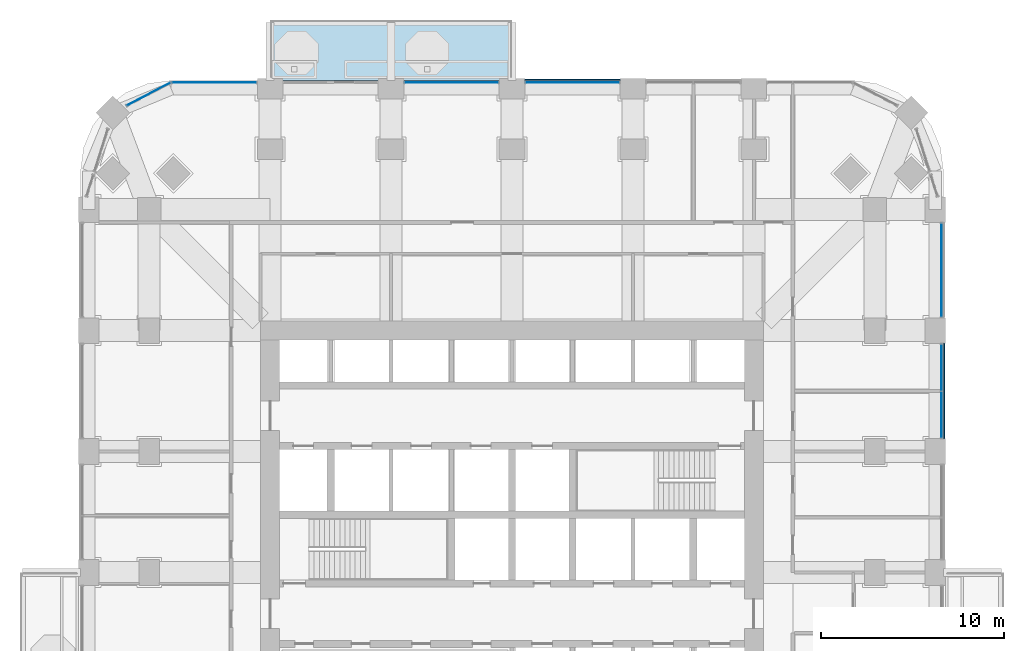
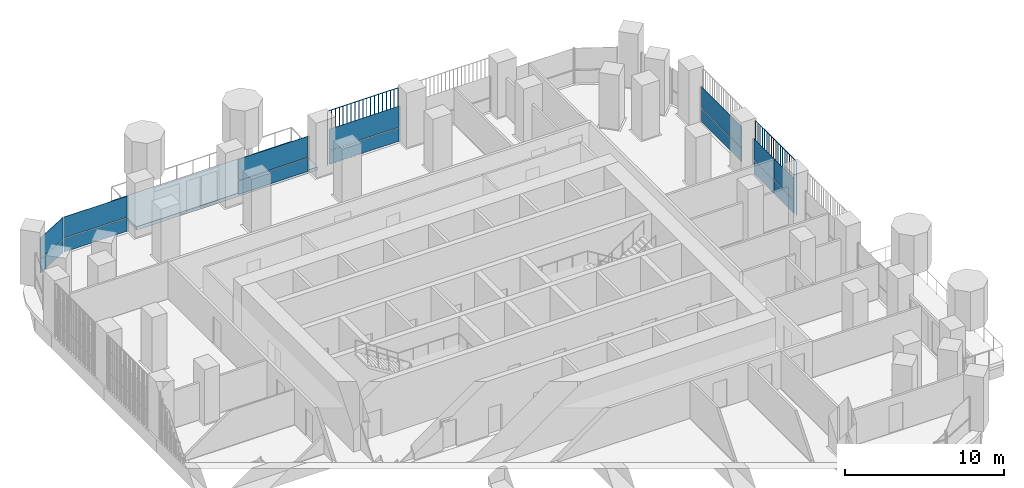
# One storey, part 11 of 21: 16 plates, 1 slab, 6 elements without a shape of their own.
"""IFC4 building model written with IfcOpenShell, lengths in metres."""

from ifc_helpers import new_model, si_unit, direction, frame, origin, origin_2d, place, context, subcontext, project, spatial, polyline, rectangle, outline, extrude, material, layer, layer_set, type_object, element, aggregate, save


model = new_model("IFC4")

# Units and contexts
model_context = context("Model", 3, precision=1e-05, world=origin(), true_north=direction((0.0, 1.0)))
body_context = subcontext(model_context, "Body", "Model", "MODEL_VIEW")
ifc_project = project(units=[si_unit("LENGTHUNIT", "METRE"), si_unit("AREAUNIT", "SQUARE_METRE"), si_unit("VOLUMEUNIT", "CUBIC_METRE"), si_unit("PLANEANGLEUNIT", "RADIAN"), si_unit("MASSUNIT", "GRAM", prefix="KILO")], contexts=[model_context])

# Site, building, storey
site_placement = place(None, origin())
site = spatial("IfcSite", under=ifc_project, at=site_placement, CompositionType="ELEMENT")
building_placement = place(site_placement, origin())
building = spatial("IfcBuilding", under=site, at=building_placement, Name="Cobogo Forest Laboratory Tower", CompositionType="ELEMENT")
storey_placement = place(building_placement, frame((0.0, 0.0, 124.199951171875)))
storey = spatial("IfcBuildingStorey", under=building, at=storey_placement, Name="L28", CompositionType="ELEMENT", Elevation=124.199951171875)

# Slab
ifc_material_1 = material(Name="Concrete HA-40 (C40/50)", Category="concrete")
ifc_layer_1 = layer(ifc_material_1, 0.25)
ifc_layer_set_1 = layer_set([ifc_layer_1], Name="Balcony slab 250")
slab_type = type_object("IfcSlabType", Name="Balcony slab 250", PredefinedType="FLOOR", material=ifc_layer_set_1)
slab_placement = place(storey_placement, frame((0.0, 0.0, -0.25)))
element("IfcSlab", 1, at=slab_placement, inside=storey, type_object=slab_type, Name="Balcony BAL-N1 L28", PredefinedType="FLOOR", context=body_context, shape_type="SweptSolid", body=[
    extrude(outline(polyline([(13.199951171875, 46.64990234375), (26.39990234375, 46.64990234375), (26.39990234375, 49.949951171875), (13.199951171875, 49.949951171875), (13.199951171875, 46.64990234375)])), origin(), (0.0, 0.0, 1.0), 0.25),
])

# Curtain wall, plates
ifc_material_2 = material(Name="Aluminium curtain wall", Category="aluminium")
curtain_wall_type = type_object("IfcCurtainWallType", Name="CW-1 unitised curtain wall, clear glazing, laboratory floors zones A and B", PredefinedType="USERDEFINED", material=ifc_material_2)
curtain_wall_1_placement = place(storey_placement, origin())
curtain_wall_1 = element("IfcCurtainWall", 2, at=curtain_wall_1_placement, inside=storey, type_object=curtain_wall_type, Name="Curtain wall 13 L28", ObjectType="UNITISED CURTAIN WALL", PredefinedType="USERDEFINED")
ifc_material_3 = material(Name="Clear insulated glass", Category="glass")
ifc_layer_2 = layer(ifc_material_3, 0.028076171875)
ifc_layer_set_2 = layer_set([ifc_layer_2], Name="GP-1 clear insulated glass unit 28")
plate_type_1 = type_object("IfcPlateType", Name="GP-1 clear insulated glass unit 28", PredefinedType="CURTAIN_PANEL", material=ifc_layer_set_2)
plate_1_placement = place(storey_placement, frame((49.85009765625, 28.4150390625, 0.0), z_axis=(0.0, 0.0, 1.0), x_axis=(0.0, 1.0, 0.0)))
plate_1 = element("IfcPlate", 3, at=plate_1_placement, type_object=plate_type_1, Name="CW-1 panel 1.1", PredefinedType="CURTAIN_PANEL", context=body_context, shape_type="SweptSolid", body=[
    extrude(rectangle(XDim=2.510009765625, YDim=0.028076171875, at=origin_2d()), origin(), (0.0, 0.0, 1.0), 1.02001953125),
])
plate_2_placement = place(storey_placement, frame((49.85009765625, 28.4150390625, 1.080078125), z_axis=(0.0, 0.0, 1.0), x_axis=(0.0, 1.0, 0.0)))
plate_2 = element("IfcPlate", 4, at=plate_2_placement, type_object=plate_type_1, Name="CW-1 panel 1.2", PredefinedType="CURTAIN_PANEL", context=body_context, shape_type="SweptSolid", body=[
    extrude(rectangle(XDim=2.510009765625, YDim=0.028076171875, at=origin_2d()), origin(), (0.0, 0.0, 1.0), 1.6201171875),
])
plate_3_placement = place(storey_placement, frame((49.85009765625, 30.985107421875, 0.0), z_axis=(0.0, 0.0, 1.0), x_axis=(0.0, 1.0, 0.0)))
plate_3 = element("IfcPlate", 5, at=plate_3_placement, type_object=plate_type_1, Name="CW-1 panel 2.1", PredefinedType="CURTAIN_PANEL", context=body_context, shape_type="SweptSolid", body=[
    extrude(rectangle(XDim=2.510009765625, YDim=0.028076171875, at=origin_2d()), origin(), (0.0, 0.0, 1.0), 1.02001953125),
])
plate_4_placement = place(storey_placement, frame((49.85009765625, 30.985107421875, 1.080078125), z_axis=(0.0, 0.0, 1.0), x_axis=(0.0, 1.0, 0.0)))
plate_4 = element("IfcPlate", 6, at=plate_4_placement, type_object=plate_type_1, Name="CW-1 panel 2.2", PredefinedType="CURTAIN_PANEL", context=body_context, shape_type="SweptSolid", body=[
    extrude(rectangle(XDim=2.510009765625, YDim=0.028076171875, at=origin_2d()), origin(), (0.0, 0.0, 1.0), 1.6201171875),
])
aggregate(curtain_wall_1, [plate_1, plate_2, plate_3, plate_4])

curtain_wall_2_placement = place(storey_placement, origin())
curtain_wall_2 = element("IfcCurtainWall", 7, at=curtain_wall_2_placement, inside=storey, type_object=curtain_wall_type, Name="Curtain wall 14 L28", ObjectType="UNITISED CURTAIN WALL", PredefinedType="USERDEFINED")
plate_5_placement = place(storey_placement, frame((49.85009765625, 36.300048828125, 0.0), z_axis=(0.0, 0.0, 1.0), x_axis=(0.0, 1.0, 0.0)))
plate_5 = element("IfcPlate", 8, at=plate_5_placement, type_object=plate_type_1, Name="CW-1 panel 1.1", PredefinedType="CURTAIN_PANEL", context=body_context, shape_type="SweptSolid", body=[
    extrude(rectangle(XDim=5.080078125, YDim=0.028076171875, at=origin_2d()), origin(), (0.0, 0.0, 1.0), 1.02001953125),
])
plate_6_placement = place(storey_placement, frame((49.85009765625, 36.300048828125, 1.080078125), z_axis=(0.0, 0.0, 1.0), x_axis=(0.0, 1.0, 0.0)))
plate_6 = element("IfcPlate", 9, at=plate_6_placement, type_object=plate_type_1, Name="CW-1 panel 1.2", PredefinedType="CURTAIN_PANEL", context=body_context, shape_type="SweptSolid", body=[
    extrude(rectangle(XDim=5.080078125, YDim=0.028076171875, at=origin_2d()), origin(), (0.0, 0.0, 1.0), 1.6201171875),
])
aggregate(curtain_wall_2, [plate_5, plate_6])

curtain_wall_3_placement = place(storey_placement, origin())
curtain_wall_3 = element("IfcCurtainWall", 10, at=curtain_wall_3_placement, inside=storey, type_object=curtain_wall_type, Name="Curtain wall 20 L28", ObjectType="UNITISED CURTAIN WALL", PredefinedType="USERDEFINED")
plate_7_placement = place(storey_placement, frame((29.699951171875, 46.550048828125, 0.0), z_axis=(0.0, 0.0, 1.0), x_axis=(-1.0, 0.0, 0.0)))
plate_7 = element("IfcPlate", 11, at=plate_7_placement, type_object=plate_type_1, Name="CW-1 panel 1.1", PredefinedType="CURTAIN_PANEL", context=body_context, shape_type="SweptSolid", body=[
    extrude(rectangle(XDim=5.080078125, YDim=0.028076171875, at=origin_2d()), origin(), (0.0, 0.0, 1.0), 1.02001953125),
])
plate_8_placement = place(storey_placement, frame((29.699951171875, 46.550048828125, 1.080078125), z_axis=(0.0, 0.0, 1.0), x_axis=(-1.0, 0.0, 0.0)))
plate_8 = element("IfcPlate", 12, at=plate_8_placement, type_object=plate_type_1, Name="CW-1 panel 1.2", PredefinedType="CURTAIN_PANEL", context=body_context, shape_type="SweptSolid", body=[
    extrude(rectangle(XDim=5.080078125, YDim=0.028076171875, at=origin_2d()), origin(), (0.0, 0.0, 1.0), 1.6201171875),
])
aggregate(curtain_wall_3, [plate_7, plate_8])

curtain_wall_4_placement = place(storey_placement, origin())
curtain_wall_4 = element("IfcCurtainWall", 13, at=curtain_wall_4_placement, inside=storey, type_object=curtain_wall_type, Name="Curtain wall 21 L28", ObjectType="UNITISED CURTAIN WALL", PredefinedType="USERDEFINED")
plate_9_placement = place(storey_placement, frame((23.10009765625, 46.550048828125, 0.0), z_axis=(0.0, 0.0, 1.0), x_axis=(-1.0, 0.0, 0.0)))
plate_9 = element("IfcPlate", 14, at=plate_9_placement, type_object=plate_type_1, Name="CW-1 panel 1.1", PredefinedType="CURTAIN_PANEL", context=body_context, shape_type="SweptSolid", body=[
    extrude(rectangle(XDim=5.080078125, YDim=0.028076171875, at=origin_2d()), origin(), (0.0, 0.0, 1.0), 1.02001953125),
])
plate_10_placement = place(storey_placement, frame((23.10009765625, 46.550048828125, 1.080078125), z_axis=(0.0, 0.0, 1.0), x_axis=(-1.0, 0.0, 0.0)))
plate_10 = element("IfcPlate", 15, at=plate_10_placement, type_object=plate_type_1, Name="CW-1 panel 1.2", PredefinedType="CURTAIN_PANEL", context=body_context, shape_type="SweptSolid", body=[
    extrude(rectangle(XDim=5.080078125, YDim=0.028076171875, at=origin_2d()), origin(), (0.0, 0.0, 1.0), 1.6201171875),
])
aggregate(curtain_wall_4, [plate_9, plate_10])

curtain_wall_5_placement = place(storey_placement, origin())
curtain_wall_5 = element("IfcCurtainWall", 16, at=curtain_wall_5_placement, inside=storey, type_object=curtain_wall_type, Name="Curtain wall 23 L28", ObjectType="UNITISED CURTAIN WALL", PredefinedType="USERDEFINED")
plate_11_placement = place(storey_placement, frame((10.14990234375, 46.550048828125, 0.0), z_axis=(0.0, 0.0, 1.0), x_axis=(-1.0, 0.0, 0.0)))
plate_11 = element("IfcPlate", 17, at=plate_11_placement, type_object=plate_type_1, Name="CW-1 panel 1.1", PredefinedType="CURTAIN_PANEL", context=body_context, shape_type="SweptSolid", body=[
    extrude(rectangle(XDim=4.580078125, YDim=0.028076171875, at=origin_2d()), origin(), (0.0, 0.0, 1.0), 1.02001953125),
])
plate_12_placement = place(storey_placement, frame((10.14990234375, 46.550048828125, 1.080078125), z_axis=(0.0, 0.0, 1.0), x_axis=(-1.0, 0.0, 0.0)))
plate_12 = element("IfcPlate", 18, at=plate_12_placement, type_object=plate_type_1, Name="CW-1 panel 1.2", PredefinedType="CURTAIN_PANEL", context=body_context, shape_type="SweptSolid", body=[
    extrude(rectangle(XDim=4.580078125, YDim=0.028076171875, at=origin_2d()), origin(), (0.0, 0.0, 1.0), 1.6201171875),
])
aggregate(curtain_wall_5, [plate_11, plate_12])

curtain_wall_6_placement = place(storey_placement, origin())
curtain_wall_6 = element("IfcCurtainWall", 19, at=curtain_wall_6_placement, inside=storey, type_object=curtain_wall_type, Name="Curtain wall 24 L28", ObjectType="UNITISED CURTAIN WALL", PredefinedType="USERDEFINED")
plate_13_placement = place(storey_placement, frame((6.57080078125, 45.90576171875, 0.0), z_axis=(0.0, 0.0, 1.0), x_axis=(-0.885686547075, -0.464283685186, 0.0)))
plate_13 = element("IfcPlate", 20, at=plate_13_placement, type_object=plate_type_1, Name="CW-1 panel 1.1", PredefinedType="CURTAIN_PANEL", context=body_context, shape_type="SweptSolid", body=[
    extrude(rectangle(XDim=2.655517578125, YDim=0.028076171875, at=origin_2d()), origin(), (0.0, 0.0, 1.0), 1.02001953125),
])
plate_14_placement = place(storey_placement, frame((6.57080078125, 45.90576171875, 1.080078125), z_axis=(0.0, 0.0, 1.0), x_axis=(-0.885686547075, -0.464283685186, 0.0)))
plate_14 = element("IfcPlate", 21, at=plate_14_placement, type_object=plate_type_1, Name="CW-1 panel 1.2", PredefinedType="CURTAIN_PANEL", context=body_context, shape_type="SweptSolid", body=[
    extrude(rectangle(XDim=2.655517578125, YDim=0.028076171875, at=origin_2d()), origin(), (0.0, 0.0, 1.0), 1.6201171875),
])
aggregate(curtain_wall_6, [plate_13, plate_14])

# Plates
ifc_material_4 = material(Name="Terracotta", Category="masonry")
plate_type_2 = type_object("IfcPlateType", Name="TB1 terracotta baguette screen", PredefinedType="USERDEFINED", material=ifc_material_4)
plate_15_placement = place(storey_placement, frame((49.977783203125, 27.13134765625, -0.14990234375)))
element("IfcPlate", 22, at=plate_15_placement, inside=storey, type_object=plate_type_2, Name="Baguette screen E4 L28", ObjectType="BAGUETTE SCREEN", PredefinedType="USERDEFINED", context=body_context, shape_type="SweptSolid", body=[
    extrude(outline(polyline([(0.02880859375, 0.011962890625), (0.011962890625, 0.02880859375), (-0.011962890625, 0.02880859375), (-0.02880859375, 0.011962890625), (-0.02880859375, -0.011962890625), (-0.011962890625, -0.02880859375), (0.011962890625, -0.02880859375), (0.02880859375, -0.011962890625), (0.02880859375, 0.011962890625)])), frame((0.0, 0.0, 4.168701171875), z_axis=(0.0, 1.0, 0.0), x_axis=(-1.0, 0.0, 0.0)), (0.0, 0.0, 1.0), 5.137451171875),
    extrude(outline(polyline([(0.02880859375, 0.011962890625), (0.011962890625, 0.02880859375), (-0.011962890625, 0.02880859375), (-0.02880859375, 0.011962890625), (-0.02880859375, -0.011962890625), (-0.011962890625, -0.02880859375), (0.011962890625, -0.02880859375), (0.02880859375, -0.011962890625), (0.02880859375, 0.011962890625)])), origin(), (0.0, 0.0, 1.0), 4.137451171875),
    extrude(outline(polyline([(0.02880859375, 0.011962890625), (0.011962890625, 0.02880859375), (-0.011962890625, 0.02880859375), (-0.02880859375, 0.011962890625), (-0.02880859375, -0.011962890625), (-0.011962890625, -0.02880859375), (0.011962890625, -0.02880859375), (0.02880859375, -0.011962890625), (0.02880859375, 0.011962890625)])), frame((0.0, 0.285400390625, 0.0)), (0.0, 0.0, 1.0), 4.137451171875),
    extrude(outline(polyline([(0.02880859375, 0.011962890625), (0.011962890625, 0.02880859375), (-0.011962890625, 0.02880859375), (-0.02880859375, 0.011962890625), (-0.02880859375, -0.011962890625), (-0.011962890625, -0.02880859375), (0.011962890625, -0.02880859375), (0.02880859375, -0.011962890625), (0.02880859375, 0.011962890625)])), frame((0.0, 0.57080078125, 0.0)), (0.0, 0.0, 1.0), 4.137451171875),
    extrude(outline(polyline([(0.02880859375, 0.011962890625), (0.011962890625, 0.02880859375), (-0.011962890625, 0.02880859375), (-0.02880859375, 0.011962890625), (-0.02880859375, -0.011962890625), (-0.011962890625, -0.02880859375), (0.011962890625, -0.02880859375), (0.02880859375, -0.011962890625), (0.02880859375, 0.011962890625)])), frame((0.0, 0.856201171875, 0.0)), (0.0, 0.0, 1.0), 4.137451171875),
    extrude(outline(polyline([(0.02880859375, 0.011962890625), (0.011962890625, 0.02880859375), (-0.011962890625, 0.02880859375), (-0.02880859375, 0.011962890625), (-0.02880859375, -0.011962890625), (-0.011962890625, -0.02880859375), (0.011962890625, -0.02880859375), (0.02880859375, -0.011962890625), (0.02880859375, 0.011962890625)])), frame((0.0, 1.1416015625, 0.0)), (0.0, 0.0, 1.0), 4.137451171875),
    extrude(outline(polyline([(0.02880859375, 0.011962890625), (0.011962890625, 0.02880859375), (-0.011962890625, 0.02880859375), (-0.02880859375, 0.011962890625), (-0.02880859375, -0.011962890625), (-0.011962890625, -0.02880859375), (0.011962890625, -0.02880859375), (0.02880859375, -0.011962890625), (0.02880859375, 0.011962890625)])), frame((0.0, 1.427001953125, 0.0)), (0.0, 0.0, 1.0), 4.137451171875),
    extrude(outline(polyline([(0.02880859375, 0.011962890625), (0.011962890625, 0.02880859375), (-0.011962890625, 0.02880859375), (-0.02880859375, 0.011962890625), (-0.02880859375, -0.011962890625), (-0.011962890625, -0.02880859375), (0.011962890625, -0.02880859375), (0.02880859375, -0.011962890625), (0.02880859375, 0.011962890625)])), frame((0.0, 1.71240234375, 0.0)), (0.0, 0.0, 1.0), 4.137451171875),
    extrude(outline(polyline([(0.02880859375, 0.011962890625), (0.011962890625, 0.02880859375), (-0.011962890625, 0.02880859375), (-0.02880859375, 0.011962890625), (-0.02880859375, -0.011962890625), (-0.011962890625, -0.02880859375), (0.011962890625, -0.02880859375), (0.02880859375, -0.011962890625), (0.02880859375, 0.011962890625)])), frame((0.0, 1.997802734375, 0.0)), (0.0, 0.0, 1.0), 4.137451171875),
    extrude(outline(polyline([(0.02880859375, 0.011962890625), (0.011962890625, 0.02880859375), (-0.011962890625, 0.02880859375), (-0.02880859375, 0.011962890625), (-0.02880859375, -0.011962890625), (-0.011962890625, -0.02880859375), (0.011962890625, -0.02880859375), (0.02880859375, -0.011962890625), (0.02880859375, 0.011962890625)])), frame((0.0, 2.283203125, 0.0)), (0.0, 0.0, 1.0), 4.137451171875),
    extrude(outline(polyline([(0.02880859375, 0.011962890625), (0.011962890625, 0.02880859375), (-0.011962890625, 0.02880859375), (-0.02880859375, 0.011962890625), (-0.02880859375, -0.011962890625), (-0.011962890625, -0.02880859375), (0.011962890625, -0.02880859375), (0.02880859375, -0.011962890625), (0.02880859375, 0.011962890625)])), frame((0.0, 2.56884765625, 0.0)), (0.0, 0.0, 1.0), 4.137451171875),
    extrude(outline(polyline([(0.02880859375, 0.011962890625), (0.011962890625, 0.02880859375), (-0.011962890625, 0.02880859375), (-0.02880859375, 0.011962890625), (-0.02880859375, -0.011962890625), (-0.011962890625, -0.02880859375), (0.011962890625, -0.02880859375), (0.02880859375, -0.011962890625), (0.02880859375, 0.011962890625)])), frame((0.0, 2.854248046875, 0.0)), (0.0, 0.0, 1.0), 4.137451171875),
    extrude(outline(polyline([(0.02880859375, 0.011962890625), (0.011962890625, 0.02880859375), (-0.011962890625, 0.02880859375), (-0.02880859375, 0.011962890625), (-0.02880859375, -0.011962890625), (-0.011962890625, -0.02880859375), (0.011962890625, -0.02880859375), (0.02880859375, -0.011962890625), (0.02880859375, 0.011962890625)])), frame((0.0, 3.1396484375, 0.0)), (0.0, 0.0, 1.0), 4.137451171875),
    extrude(outline(polyline([(0.02880859375, 0.011962890625), (0.011962890625, 0.02880859375), (-0.011962890625, 0.02880859375), (-0.02880859375, 0.011962890625), (-0.02880859375, -0.011962890625), (-0.011962890625, -0.02880859375), (0.011962890625, -0.02880859375), (0.02880859375, -0.011962890625), (0.02880859375, 0.011962890625)])), frame((0.0, 3.425048828125, 0.0)), (0.0, 0.0, 1.0), 4.137451171875),
    extrude(outline(polyline([(0.02880859375, 0.011962890625), (0.011962890625, 0.02880859375), (-0.011962890625, 0.02880859375), (-0.02880859375, 0.011962890625), (-0.02880859375, -0.011962890625), (-0.011962890625, -0.02880859375), (0.011962890625, -0.02880859375), (0.02880859375, -0.011962890625), (0.02880859375, 0.011962890625)])), frame((0.0, 3.71044921875, 0.0)), (0.0, 0.0, 1.0), 4.137451171875),
    extrude(outline(polyline([(0.02880859375, 0.011962890625), (0.011962890625, 0.02880859375), (-0.011962890625, 0.02880859375), (-0.02880859375, 0.011962890625), (-0.02880859375, -0.011962890625), (-0.011962890625, -0.02880859375), (0.011962890625, -0.02880859375), (0.02880859375, -0.011962890625), (0.02880859375, 0.011962890625)])), frame((0.0, 3.995849609375, 0.0)), (0.0, 0.0, 1.0), 4.137451171875),
    extrude(outline(polyline([(0.02880859375, 0.011962890625), (0.011962890625, 0.02880859375), (-0.011962890625, 0.02880859375), (-0.02880859375, 0.011962890625), (-0.02880859375, -0.011962890625), (-0.011962890625, -0.02880859375), (0.011962890625, -0.02880859375), (0.02880859375, -0.011962890625), (0.02880859375, 0.011962890625)])), frame((0.0, 4.28125, 0.0)), (0.0, 0.0, 1.0), 4.137451171875),
    extrude(outline(polyline([(0.02880859375, 0.011962890625), (0.011962890625, 0.02880859375), (-0.011962890625, 0.02880859375), (-0.02880859375, 0.011962890625), (-0.02880859375, -0.011962890625), (-0.011962890625, -0.02880859375), (0.011962890625, -0.02880859375), (0.02880859375, -0.011962890625), (0.02880859375, 0.011962890625)])), frame((0.0, 4.566650390625, 0.0)), (0.0, 0.0, 1.0), 4.137451171875),
    extrude(outline(polyline([(0.02880859375, 0.011962890625), (0.011962890625, 0.02880859375), (-0.011962890625, 0.02880859375), (-0.02880859375, 0.011962890625), (-0.02880859375, -0.011962890625), (-0.011962890625, -0.02880859375), (0.011962890625, -0.02880859375), (0.02880859375, -0.011962890625), (0.02880859375, 0.011962890625)])), frame((0.0, 4.85205078125, 0.0)), (0.0, 0.0, 1.0), 4.137451171875),
    extrude(outline(polyline([(0.02880859375, 0.011962890625), (0.011962890625, 0.02880859375), (-0.011962890625, 0.02880859375), (-0.02880859375, 0.011962890625), (-0.02880859375, -0.011962890625), (-0.011962890625, -0.02880859375), (0.011962890625, -0.02880859375), (0.02880859375, -0.011962890625), (0.02880859375, 0.011962890625)])), frame((0.0, 5.137451171875, 0.0)), (0.0, 0.0, 1.0), 4.137451171875),
])
plate_16_placement = place(storey_placement, frame((27.13134765625, 46.677978515625, -0.14990234375)))
element("IfcPlate", 23, at=plate_16_placement, inside=storey, type_object=plate_type_2, Name="Baguette screen N3 L28", ObjectType="BAGUETTE SCREEN", PredefinedType="USERDEFINED", context=body_context, shape_type="SweptSolid", body=[
    extrude(outline(polyline([(0.02880859375, 0.011962890625), (0.011962890625, 0.02880859375), (-0.011962890625, 0.02880859375), (-0.02880859375, 0.011962890625), (-0.02880859375, -0.011962890625), (-0.011962890625, -0.02880859375), (0.011962890625, -0.02880859375), (0.02880859375, -0.011962890625), (0.02880859375, 0.011962890625)])), frame((0.0, 0.0, 4.168701171875), z_axis=(1.0, 0.0, 0.0), x_axis=(0.0, 1.0, 0.0)), (0.0, 0.0, 1.0), 5.137451171875),
    extrude(outline(polyline([(0.02880859375, 0.011962890625), (0.011962890625, 0.02880859375), (-0.011962890625, 0.02880859375), (-0.02880859375, 0.011962890625), (-0.02880859375, -0.011962890625), (-0.011962890625, -0.02880859375), (0.011962890625, -0.02880859375), (0.02880859375, -0.011962890625), (0.02880859375, 0.011962890625)])), origin(), (0.0, 0.0, 1.0), 4.137451171875),
    extrude(outline(polyline([(0.02880859375, 0.011962890625), (0.011962890625, 0.02880859375), (-0.011962890625, 0.02880859375), (-0.02880859375, 0.011962890625), (-0.02880859375, -0.011962890625), (-0.011962890625, -0.02880859375), (0.011962890625, -0.02880859375), (0.02880859375, -0.011962890625), (0.02880859375, 0.011962890625)])), frame((0.285400390625, 0.0, 0.0)), (0.0, 0.0, 1.0), 4.137451171875),
    extrude(outline(polyline([(0.02880859375, 0.011962890625), (0.011962890625, 0.02880859375), (-0.011962890625, 0.02880859375), (-0.02880859375, 0.011962890625), (-0.02880859375, -0.011962890625), (-0.011962890625, -0.02880859375), (0.011962890625, -0.02880859375), (0.02880859375, -0.011962890625), (0.02880859375, 0.011962890625)])), frame((0.57080078125, 0.0, 0.0)), (0.0, 0.0, 1.0), 4.137451171875),
    extrude(outline(polyline([(0.02880859375, 0.011962890625), (0.011962890625, 0.02880859375), (-0.011962890625, 0.02880859375), (-0.02880859375, 0.011962890625), (-0.02880859375, -0.011962890625), (-0.011962890625, -0.02880859375), (0.011962890625, -0.02880859375), (0.02880859375, -0.011962890625), (0.02880859375, 0.011962890625)])), frame((0.856201171875, 0.0, 0.0)), (0.0, 0.0, 1.0), 4.137451171875),
    extrude(outline(polyline([(0.02880859375, 0.011962890625), (0.011962890625, 0.02880859375), (-0.011962890625, 0.02880859375), (-0.02880859375, 0.011962890625), (-0.02880859375, -0.011962890625), (-0.011962890625, -0.02880859375), (0.011962890625, -0.02880859375), (0.02880859375, -0.011962890625), (0.02880859375, 0.011962890625)])), frame((1.1416015625, 0.0, 0.0)), (0.0, 0.0, 1.0), 4.137451171875),
    extrude(outline(polyline([(0.02880859375, 0.011962890625), (0.011962890625, 0.02880859375), (-0.011962890625, 0.02880859375), (-0.02880859375, 0.011962890625), (-0.02880859375, -0.011962890625), (-0.011962890625, -0.02880859375), (0.011962890625, -0.02880859375), (0.02880859375, -0.011962890625), (0.02880859375, 0.011962890625)])), frame((1.427001953125, 0.0, 0.0)), (0.0, 0.0, 1.0), 4.137451171875),
    extrude(outline(polyline([(0.02880859375, 0.011962890625), (0.011962890625, 0.02880859375), (-0.011962890625, 0.02880859375), (-0.02880859375, 0.011962890625), (-0.02880859375, -0.011962890625), (-0.011962890625, -0.02880859375), (0.011962890625, -0.02880859375), (0.02880859375, -0.011962890625), (0.02880859375, 0.011962890625)])), frame((1.71240234375, 0.0, 0.0)), (0.0, 0.0, 1.0), 4.137451171875),
    extrude(outline(polyline([(0.02880859375, 0.011962890625), (0.011962890625, 0.02880859375), (-0.011962890625, 0.02880859375), (-0.02880859375, 0.011962890625), (-0.02880859375, -0.011962890625), (-0.011962890625, -0.02880859375), (0.011962890625, -0.02880859375), (0.02880859375, -0.011962890625), (0.02880859375, 0.011962890625)])), frame((1.997802734375, 0.0, 0.0)), (0.0, 0.0, 1.0), 4.137451171875),
    extrude(outline(polyline([(0.02880859375, 0.011962890625), (0.011962890625, 0.02880859375), (-0.011962890625, 0.02880859375), (-0.02880859375, 0.011962890625), (-0.02880859375, -0.011962890625), (-0.011962890625, -0.02880859375), (0.011962890625, -0.02880859375), (0.02880859375, -0.011962890625), (0.02880859375, 0.011962890625)])), frame((2.283203125, 0.0, 0.0)), (0.0, 0.0, 1.0), 4.137451171875),
    extrude(outline(polyline([(0.02880859375, 0.011962890625), (0.011962890625, 0.02880859375), (-0.011962890625, 0.02880859375), (-0.02880859375, 0.011962890625), (-0.02880859375, -0.011962890625), (-0.011962890625, -0.02880859375), (0.011962890625, -0.02880859375), (0.02880859375, -0.011962890625), (0.02880859375, 0.011962890625)])), frame((2.56884765625, 0.0, 0.0)), (0.0, 0.0, 1.0), 4.137451171875),
    extrude(outline(polyline([(0.02880859375, 0.011962890625), (0.011962890625, 0.02880859375), (-0.011962890625, 0.02880859375), (-0.02880859375, 0.011962890625), (-0.02880859375, -0.011962890625), (-0.011962890625, -0.02880859375), (0.011962890625, -0.02880859375), (0.02880859375, -0.011962890625), (0.02880859375, 0.011962890625)])), frame((2.854248046875, 0.0, 0.0)), (0.0, 0.0, 1.0), 4.137451171875),
    extrude(outline(polyline([(0.02880859375, 0.011962890625), (0.011962890625, 0.02880859375), (-0.011962890625, 0.02880859375), (-0.02880859375, 0.011962890625), (-0.02880859375, -0.011962890625), (-0.011962890625, -0.02880859375), (0.011962890625, -0.02880859375), (0.02880859375, -0.011962890625), (0.02880859375, 0.011962890625)])), frame((3.1396484375, 0.0, 0.0)), (0.0, 0.0, 1.0), 4.137451171875),
    extrude(outline(polyline([(0.02880859375, 0.011962890625), (0.011962890625, 0.02880859375), (-0.011962890625, 0.02880859375), (-0.02880859375, 0.011962890625), (-0.02880859375, -0.011962890625), (-0.011962890625, -0.02880859375), (0.011962890625, -0.02880859375), (0.02880859375, -0.011962890625), (0.02880859375, 0.011962890625)])), frame((3.425048828125, 0.0, 0.0)), (0.0, 0.0, 1.0), 4.137451171875),
    extrude(outline(polyline([(0.02880859375, 0.011962890625), (0.011962890625, 0.02880859375), (-0.011962890625, 0.02880859375), (-0.02880859375, 0.011962890625), (-0.02880859375, -0.011962890625), (-0.011962890625, -0.02880859375), (0.011962890625, -0.02880859375), (0.02880859375, -0.011962890625), (0.02880859375, 0.011962890625)])), frame((3.71044921875, 0.0, 0.0)), (0.0, 0.0, 1.0), 4.137451171875),
    extrude(outline(polyline([(0.02880859375, 0.011962890625), (0.011962890625, 0.02880859375), (-0.011962890625, 0.02880859375), (-0.02880859375, 0.011962890625), (-0.02880859375, -0.011962890625), (-0.011962890625, -0.02880859375), (0.011962890625, -0.02880859375), (0.02880859375, -0.011962890625), (0.02880859375, 0.011962890625)])), frame((3.995849609375, 0.0, 0.0)), (0.0, 0.0, 1.0), 4.137451171875),
    extrude(outline(polyline([(0.02880859375, 0.011962890625), (0.011962890625, 0.02880859375), (-0.011962890625, 0.02880859375), (-0.02880859375, 0.011962890625), (-0.02880859375, -0.011962890625), (-0.011962890625, -0.02880859375), (0.011962890625, -0.02880859375), (0.02880859375, -0.011962890625), (0.02880859375, 0.011962890625)])), frame((4.28125, 0.0, 0.0)), (0.0, 0.0, 1.0), 4.137451171875),
    extrude(outline(polyline([(0.02880859375, 0.011962890625), (0.011962890625, 0.02880859375), (-0.011962890625, 0.02880859375), (-0.02880859375, 0.011962890625), (-0.02880859375, -0.011962890625), (-0.011962890625, -0.02880859375), (0.011962890625, -0.02880859375), (0.02880859375, -0.011962890625), (0.02880859375, 0.011962890625)])), frame((4.566650390625, 0.0, 0.0)), (0.0, 0.0, 1.0), 4.137451171875),
    extrude(outline(polyline([(0.02880859375, 0.011962890625), (0.011962890625, 0.02880859375), (-0.011962890625, 0.02880859375), (-0.02880859375, 0.011962890625), (-0.02880859375, -0.011962890625), (-0.011962890625, -0.02880859375), (0.011962890625, -0.02880859375), (0.02880859375, -0.011962890625), (0.02880859375, 0.011962890625)])), frame((4.85205078125, 0.0, 0.0)), (0.0, 0.0, 1.0), 4.137451171875),
    extrude(outline(polyline([(0.02880859375, 0.011962890625), (0.011962890625, 0.02880859375), (-0.011962890625, 0.02880859375), (-0.02880859375, 0.011962890625), (-0.02880859375, -0.011962890625), (-0.011962890625, -0.02880859375), (0.011962890625, -0.02880859375), (0.02880859375, -0.011962890625), (0.02880859375, 0.011962890625)])), frame((5.137451171875, 0.0, 0.0)), (0.0, 0.0, 1.0), 4.137451171875),
])

save(model, "model.ifc")
